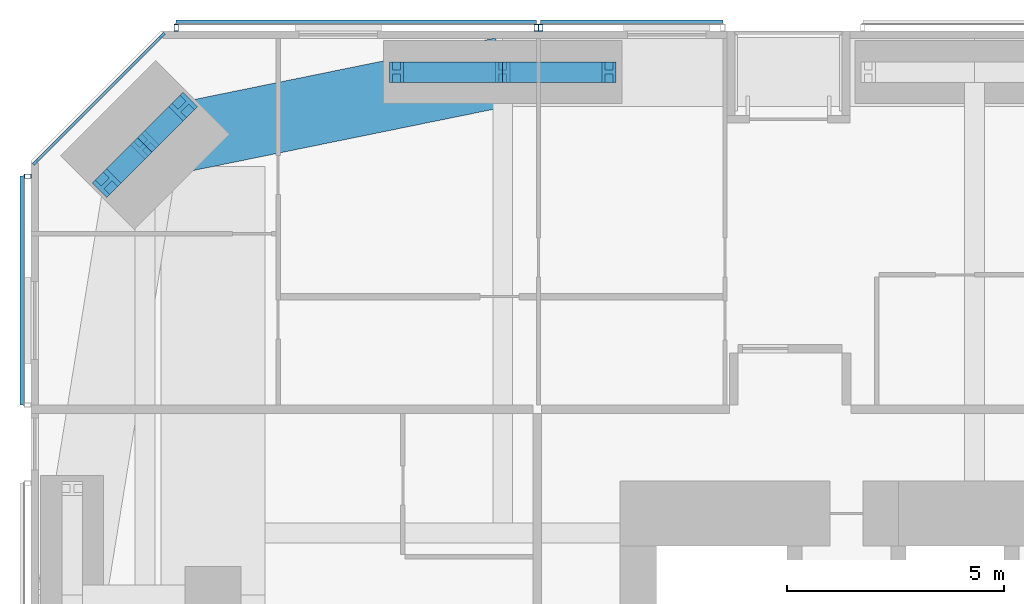
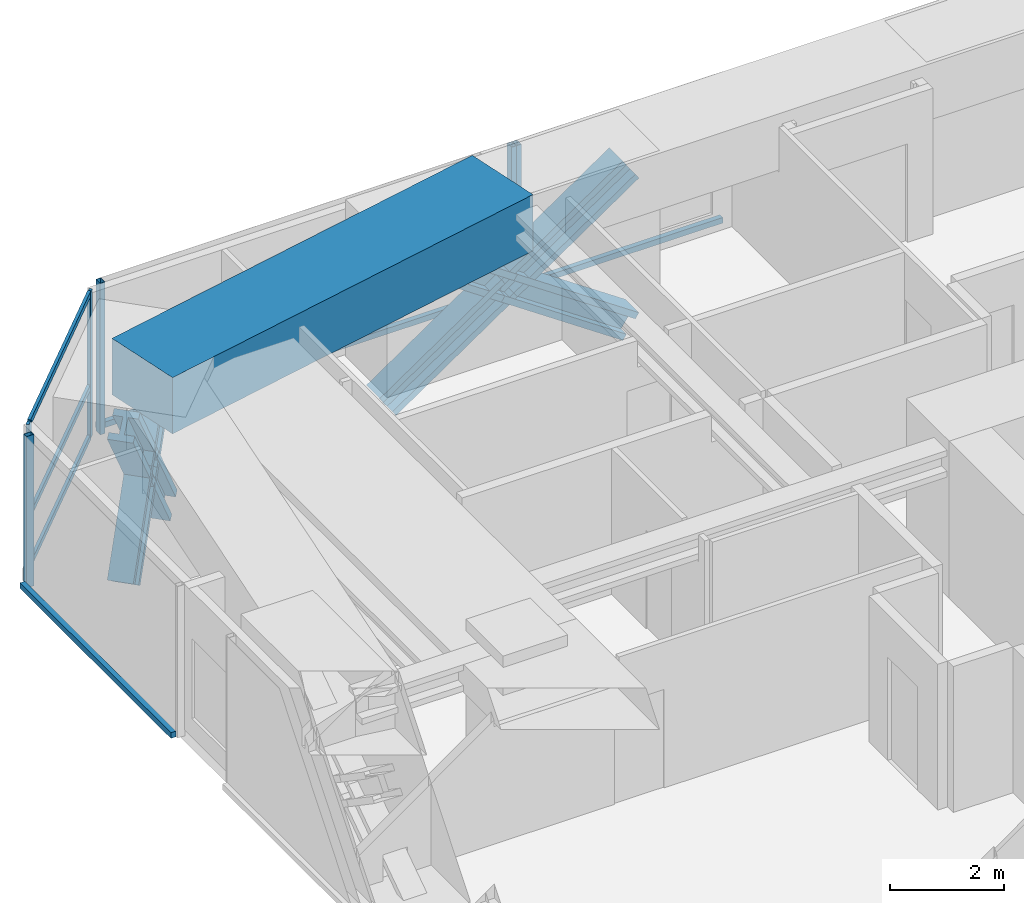
# One storey, part 12 of 25: 20 members, 1 beam, 4 elements without a shape of their own.
"""IFC4 building model written with IfcOpenShell, lengths in metres."""

from ifc_helpers import new_model, si_unit, direction, frame, origin, origin_2d, place, context, subcontext, project, spatial, rectangle, hollow_rectangle, i_section, extrude, material, material_profile, profile_set, type_object, element, aggregate, save


model = new_model("IFC4")

# Units and contexts
model_context = context("Model", 3, precision=1e-05, world=origin(), true_north=direction((0.0, 1.0)))
body_context = subcontext(model_context, "Body", "Model", "MODEL_VIEW")
ifc_project = project(units=[si_unit("LENGTHUNIT", "METRE"), si_unit("AREAUNIT", "SQUARE_METRE"), si_unit("VOLUMEUNIT", "CUBIC_METRE"), si_unit("PLANEANGLEUNIT", "RADIAN"), si_unit("MASSUNIT", "GRAM", prefix="KILO")], contexts=[model_context])

# Site, building, storey
site_placement = place(None, origin())
site = spatial("IfcSite", under=ifc_project, at=site_placement, CompositionType="ELEMENT")
building_placement = place(site_placement, origin())
building = spatial("IfcBuilding", under=site, at=building_placement, Name="Jalousie Tower", CompositionType="ELEMENT")
storey_placement = place(building_placement, frame((0.0, 0.0, 98.14990234375)))
storey = spatial("IfcBuildingStorey", under=building, at=storey_placement, Name="L26", CompositionType="ELEMENT", Elevation=98.14990234375)

# Curtain wall, members
ifc_material_1 = material(Name="Aluminium curtain wall", Category="aluminium")
curtain_wall_type_1 = type_object("IfcCurtainWallType", Name="CORNER WINDOW WALL", PredefinedType="USERDEFINED", material=ifc_material_1)
curtain_wall_1_placement = place(storey_placement, origin())
curtain_wall_1 = element("IfcCurtainWall", 1, at=curtain_wall_1_placement, inside=storey, type_object=curtain_wall_type_1, Name="Corner Window Wall L26 6", ObjectType="CORNER WINDOW WALL", PredefinedType="USERDEFINED")
ifc_material_2 = material(Name="Aluminium mullion", Category="aluminium")
ifc_material_profile_1 = material_profile(ifc_material_2, rectangle(XDim=0.06005859375, YDim=0.14990234375, at=origin_2d()), Name="MULLION 60x150")
ifc_profile_set_1 = profile_set([ifc_material_profile_1], Name="Aluminium mullion")
member_type_1 = type_object("IfcMemberType", Name="CORNER WINDOW WALL MULLION", PredefinedType="MULLION", material=ifc_profile_set_1)
member_1_placement = place(storey_placement, frame((9.030029296875, 37.891357421875, 0.0), z_axis=(0.0, 0.0, 1.0), x_axis=(0.707106781187, -0.707106781187, 0.0)))
member_1 = element("IfcMember", 2, at=member_1_placement, type_object=member_type_1, Name="CW-C mullion 1", PredefinedType="MULLION", context=body_context, shape_type="SweptSolid", body=[
    extrude(rectangle(XDim=0.06005859375, YDim=0.14990234375, at=origin_2d()), origin(), (0.0, 0.0, 1.0), 3.110107421875),
])
member_2_placement = place(storey_placement, frame((6.108642578125, 34.969970703125, 0.0), z_axis=(0.0, 0.0, 1.0), x_axis=(0.707106781187, -0.707106781187, 0.0)))
member_2 = element("IfcMember", 3, at=member_2_placement, type_object=member_type_1, Name="CW-C mullion 2", PredefinedType="MULLION", context=body_context, shape_type="SweptSolid", body=[
    extrude(rectangle(XDim=0.06005859375, YDim=0.14990234375, at=origin_2d()), origin(), (0.0, 0.0, 1.0), 3.110107421875),
])
ifc_material_3 = material(Name="Aluminium transom", Category="aluminium")
ifc_material_profile_2 = material_profile(ifc_material_3, rectangle(XDim=0.06005859375, YDim=0.1201171875, at=origin_2d()), Name="TRANSOM 60x120")
ifc_profile_set_2 = profile_set([ifc_material_profile_2], Name="Aluminium transom")
member_type_2 = type_object("IfcMemberType", Name="CORNER WINDOW WALL TRANSOM", PredefinedType="USERDEFINED", material=ifc_profile_set_2)
member_3_placement = place(storey_placement, frame((9.0087890625, 37.8701171875, 0.030029296875), z_axis=(-0.707106781187, -0.707106781187, 0.0), x_axis=(0.707106781187, -0.707106781187, 0.0)))
member_3 = element("IfcMember", 4, at=member_3_placement, type_object=member_type_2, Name="CW-C transom 1.1", ObjectType="TRANSOM", PredefinedType="USERDEFINED", context=body_context, shape_type="SweptSolid", body=[
    extrude(rectangle(XDim=0.06005859375, YDim=0.1201171875, at=origin_2d()), origin(), (0.0, 0.0, 1.0), 4.0712890625),
])
member_4_placement = place(storey_placement, frame((9.0087890625, 37.8701171875, 1.10009765625), z_axis=(-0.707106781187, -0.707106781187, 0.0), x_axis=(0.707106781187, -0.707106781187, 0.0)))
member_4 = element("IfcMember", 5, at=member_4_placement, type_object=member_type_2, Name="CW-C transom 1.2", ObjectType="TRANSOM", PredefinedType="USERDEFINED", context=body_context, shape_type="SweptSolid", body=[
    extrude(rectangle(XDim=0.06005859375, YDim=0.1201171875, at=origin_2d()), origin(), (0.0, 0.0, 1.0), 4.0712890625),
])
member_5_placement = place(storey_placement, frame((9.0087890625, 37.8701171875, 3.080078125), z_axis=(-0.707106781187, -0.707106781187, 0.0), x_axis=(0.707106781187, -0.707106781187, 0.0)))
member_5 = element("IfcMember", 6, at=member_5_placement, type_object=member_type_2, Name="CW-C transom 1.3", ObjectType="TRANSOM", PredefinedType="USERDEFINED", context=body_context, shape_type="SweptSolid", body=[
    extrude(rectangle(XDim=0.06005859375, YDim=0.1201171875, at=origin_2d()), origin(), (0.0, 0.0, 1.0), 4.0712890625),
])
aggregate(curtain_wall_1, [member_1, member_2, member_3, member_4, member_5])

# Members
ifc_material_4 = material(Name="Steel ASTM A992 Grade 50", Category="steel")
ifc_material_profile_3 = material_profile(ifc_material_4, i_section(OverallWidth=0.472412109375, OverallDepth=0.5791015625, WebThickness=0.094970703125, FlangeThickness=0.1298828125, at=origin_2d()), Name="W14X808")
ifc_profile_set_3 = profile_set([ifc_material_profile_3], Name="Steel ASTM A992 Grade 50")
member_type_3 = type_object("IfcMemberType", Name="PERIMETER BRACE W14X808", PredefinedType="BRACE", material=ifc_profile_set_3)
for number, where, z_axis, x_axis, name in (
    (7, (14.425048828125, 37.050048828125, -0.599853515625), (0.825500916831, 0.0, 0.564400776321), (0.0, 1.0, 0.0), "Perimeter brace 11 L26 part 1"),
    (8, (16.875, 37.050048828125, 1.0751953125), (0.825539243753, 0.0, 0.564344714713), (0.0, 1.0, 0.0), "Perimeter brace 11 L26 part 2"),
    (9, (19.324951171875, 37.050048828125, -0.599853515625), (-0.825500916831, 0.0, 0.564400776321), (0.0, -1.0, 0.0), "Perimeter brace 11 L26 part 3"),
    (10, (16.875, 37.050048828125, 1.0751953125), (-0.825539243753, 0.0, 0.564344714713), (0.0, -1.0, 0.0), "Perimeter brace 11 L26 part 4"),
):
    element("IfcMember", number, at=place(storey_placement, frame(where, z_axis=z_axis, x_axis=x_axis)), inside=storey, type_object=member_type_3, Name=name, PredefinedType="BRACE", context=body_context, shape_type="SweptSolid", body=[
        extrude(i_section(OverallWidth=0.472412109375, OverallDepth=0.5791015625, WebThickness=0.094970703125, FlangeThickness=0.1298828125, at=origin_2d()), origin(), (0.0, 0.0, 1.0), 2.9677734375),
    ])
member_6_placement = place(storey_placement, frame((9.515380859375, 36.25244140625, -0.599853515625), z_axis=(-0.422968528423, -0.422851718556, 0.801432497518), x_axis=(0.70700912125, -0.707204427637, 0.0)))
element("IfcMember", 11, at=member_6_placement, inside=storey, type_object=member_type_3, Name="Perimeter brace 12 L26 part 1", PredefinedType="BRACE", context=body_context, shape_type="SweptSolid", body=[
    extrude(i_section(OverallWidth=0.472412109375, OverallDepth=0.5791015625, WebThickness=0.094970703125, FlangeThickness=0.1298828125, at=origin_2d()), origin(), (0.0, 0.0, 1.0), 2.090087890625),
])
member_7_placement = place(storey_placement, frame((8.63134765625, 35.36865234375, 1.0751953125), z_axis=(-0.422891306588, -0.423008127391, 0.801390708065), x_axis=(0.707204427637, -0.70700912125, 0.0)))
element("IfcMember", 12, at=member_7_placement, inside=storey, type_object=member_type_3, Name="Perimeter brace 12 L26 part 2", PredefinedType="BRACE", context=body_context, shape_type="SweptSolid", body=[
    extrude(i_section(OverallWidth=0.472412109375, OverallDepth=0.5791015625, WebThickness=0.094970703125, FlangeThickness=0.1298828125, at=origin_2d()), origin(), (0.0, 0.0, 1.0), 2.08984375),
])
member_8_placement = place(storey_placement, frame((7.74755859375, 34.484619140625, -0.599853515625), z_axis=(0.422851718556, 0.422968528423, 0.801432497518), x_axis=(-0.707204427637, 0.70700912125, 0.0)))
element("IfcMember", 13, at=member_8_placement, inside=storey, type_object=member_type_3, Name="Perimeter brace 12 L26 part 3", PredefinedType="BRACE", context=body_context, shape_type="SweptSolid", body=[
    extrude(i_section(OverallWidth=0.472412109375, OverallDepth=0.5791015625, WebThickness=0.094970703125, FlangeThickness=0.1298828125, at=origin_2d()), origin(), (0.0, 0.0, 1.0), 2.090087890625),
])
member_9_placement = place(storey_placement, frame((8.63134765625, 35.36865234375, 1.0751953125), z_axis=(0.423008127391, 0.422891306588, 0.801390708065), x_axis=(-0.70700912125, 0.707204427637, 0.0)))
element("IfcMember", 14, at=member_9_placement, inside=storey, type_object=member_type_3, Name="Perimeter brace 12 L26 part 4", PredefinedType="BRACE", context=body_context, shape_type="SweptSolid", body=[
    extrude(i_section(OverallWidth=0.472412109375, OverallDepth=0.5791015625, WebThickness=0.094970703125, FlangeThickness=0.1298828125, at=origin_2d()), origin(), (0.0, 0.0, 1.0), 2.08984375),
])

# Beam
ifc_material_5 = material(Name="Concrete f'c 40 MPa", Category="concrete")
ifc_material_profile_4 = material_profile(ifc_material_5, rectangle(XDim=1.60009765625, YDim=1.199951171875, at=origin_2d()), Name="RC 1600x1200")
ifc_profile_set_4 = profile_set([ifc_material_profile_4], Name="Concrete f'c 40 MPa")
beam_type = type_object("IfcBeamType", Name="RC BEAM 1600x1200", PredefinedType="BEAM", material=ifc_profile_set_4)
beam_placement = place(storey_placement, frame((16.875, 37.050048828125, 2.75), z_axis=(-0.97982690954, -0.199848010602, 0.0), x_axis=(0.199848010602, -0.97982690954, 0.0)))
element("IfcBeam", 15, at=beam_placement, inside=storey, type_object=beam_type, Name="Edge band beam 11-12 under L27", PredefinedType="BEAM", context=body_context, shape_type="SweptSolid", body=[
    extrude(rectangle(XDim=1.60009765625, YDim=1.199951171875, at=origin_2d()), origin(), (0.0, 0.0, 1.0), 8.413330078125),
])

# Curtain wall, member
ifc_material_6 = material(Name="Perforated aluminium sheet", Category="aluminium")
curtain_wall_type_2 = type_object("IfcCurtainWallType", Name="SOLAR SCREEN SS-1", PredefinedType="USERDEFINED", material=ifc_material_6)
curtain_wall_2_placement = place(storey_placement, origin())
curtain_wall_2 = element("IfcCurtainWall", 16, at=curtain_wall_2_placement, inside=storey, type_object=curtain_wall_type_2, Name="Solar screen L26", ObjectType="SOLAR SCREEN SS-1", PredefinedType="USERDEFINED")
ifc_material_7 = material(Name="Steel ASTM A500 Grade C", Category="steel")
ifc_material_profile_5 = material_profile(ifc_material_7, hollow_rectangle(XDim=0.1015625, YDim=0.15234375, WallThickness=0.00634765625, at=origin_2d()), Name="HSS6X4X1/4")
ifc_profile_set_5 = profile_set([ifc_material_profile_5], Name="Steel ASTM A500 Grade C")
member_type_4 = type_object("IfcMemberType", Name="SOLAR SCREEN SS-1 MULLION", PredefinedType="MULLION", material=ifc_profile_set_5)
member_10_placement = place(storey_placement, frame((17.75, 38.0712890625, -0.119873046875), z_axis=(0.0, 0.0, 1.0), x_axis=(-1.0, 0.0, 0.0)))
member_10 = element("IfcMember", 17, at=member_10_placement, type_object=member_type_4, Name="SS1 post 2", PredefinedType="MULLION", context=body_context, shape_type="SweptSolid", body=[
    extrude(hollow_rectangle(XDim=0.1015625, YDim=0.15234375, WallThickness=0.00634765625, at=origin_2d()), origin(), (0.0, 0.0, 1.0), 3.22998046875),
])

# Curtain wall, members
curtain_wall_3_placement = place(storey_placement, origin())
curtain_wall_3 = element("IfcCurtainWall", 18, at=curtain_wall_3_placement, inside=storey, type_object=curtain_wall_type_2, Name="Solar screen L26", ObjectType="SOLAR SCREEN SS-1", PredefinedType="USERDEFINED")
member_11_placement = place(storey_placement, frame((17.64990234375, 38.0712890625, -0.119873046875), z_axis=(0.0, 0.0, 1.0), x_axis=(-1.0, 0.0, 0.0)))
member_11 = element("IfcMember", 19, at=member_11_placement, type_object=member_type_4, Name="SS1 post 1", PredefinedType="MULLION", context=body_context, shape_type="SweptSolid", body=[
    extrude(hollow_rectangle(XDim=0.1015625, YDim=0.15234375, WallThickness=0.00634765625, at=origin_2d()), origin(), (0.0, 0.0, 1.0), 3.22998046875),
])
member_12_placement = place(storey_placement, frame((9.351318359375, 38.0712890625, -0.119873046875), z_axis=(0.0, 0.0, 1.0), x_axis=(-1.0, 0.0, 0.0)))
member_12 = element("IfcMember", 20, at=member_12_placement, type_object=member_type_4, Name="SS1 post 2", PredefinedType="MULLION", context=body_context, shape_type="SweptSolid", body=[
    extrude(hollow_rectangle(XDim=0.1015625, YDim=0.15234375, WallThickness=0.00634765625, at=origin_2d()), origin(), (0.0, 0.0, 1.0), 3.22998046875),
])

# Curtain wall, member
curtain_wall_4_placement = place(storey_placement, origin())
curtain_wall_4 = element("IfcCurtainWall", 21, at=curtain_wall_4_placement, inside=storey, type_object=curtain_wall_type_2, Name="Solar screen L26", ObjectType="SOLAR SCREEN SS-1", PredefinedType="USERDEFINED")
member_13_placement = place(storey_placement, frame((5.9287109375, 34.648681640625, -0.119873046875), z_axis=(0.0, 0.0, 1.0), x_axis=(0.0, -1.0, 0.0)))
member_13 = element("IfcMember", 22, at=member_13_placement, type_object=member_type_4, Name="SS1 post 1", PredefinedType="MULLION", context=body_context, shape_type="SweptSolid", body=[
    extrude(hollow_rectangle(XDim=0.1015625, YDim=0.15234375, WallThickness=0.00634765625, at=origin_2d()), origin(), (0.0, 0.0, 1.0), 3.22998046875),
])

# Member
ifc_material_8 = material(Name="Extruded aluminium screen rail", Category="aluminium")
ifc_material_profile_6 = material_profile(ifc_material_8, rectangle(XDim=0.1015625, YDim=0.1201171875, at=origin_2d()), Name="RAIL 102x120")
ifc_profile_set_6 = profile_set([ifc_material_profile_6], Name="Extruded aluminium screen rail")
member_type_5 = type_object("IfcMemberType", Name="SOLAR SCREEN SS-1 TRANSOM", PredefinedType="USERDEFINED", material=ifc_profile_set_6)
member_14_placement = place(storey_placement, frame((21.949951171875, 38.1982421875, -0.059814453125), z_axis=(-1.0, 0.0, 0.0), x_axis=(0.0, -1.0, 0.0)))
member_14 = element("IfcMember", 23, at=member_14_placement, type_object=member_type_5, Name="SS1 rail", ObjectType="TRANSOM", PredefinedType="USERDEFINED", context=body_context, shape_type="SweptSolid", body=[
    extrude(rectangle(XDim=0.1015625, YDim=0.1201171875, at=origin_2d()), origin(), (0.0, 0.0, 1.0), 4.199951171875),
])

aggregate(curtain_wall_2, [member_10, member_14])

member_15_placement = place(storey_placement, frame((17.64990234375, 38.1982421875, -0.059814453125), z_axis=(-1.0, 0.0, 0.0), x_axis=(0.0, -1.0, 0.0)))
member_15 = element("IfcMember", 24, at=member_15_placement, type_object=member_type_5, Name="SS1 rail", ObjectType="TRANSOM", PredefinedType="USERDEFINED", context=body_context, shape_type="SweptSolid", body=[
    extrude(rectangle(XDim=0.1015625, YDim=0.1201171875, at=origin_2d()), origin(), (0.0, 0.0, 1.0), 8.298583984375),
])

aggregate(curtain_wall_3, [member_11, member_12, member_15])

member_16_placement = place(storey_placement, frame((5.8017578125, 34.648681640625, -0.059814453125), z_axis=(0.0, -1.0, 0.0), x_axis=(1.0, 0.0, 0.0)))
member_16 = element("IfcMember", 25, at=member_16_placement, type_object=member_type_5, Name="SS1 rail", ObjectType="TRANSOM", PredefinedType="USERDEFINED", context=body_context, shape_type="SweptSolid", body=[
    extrude(rectangle(XDim=0.1015625, YDim=0.1201171875, at=origin_2d()), origin(), (0.0, 0.0, 1.0), 5.273681640625),
])

aggregate(curtain_wall_4, [member_13, member_16])

save(model, "model.ifc")
